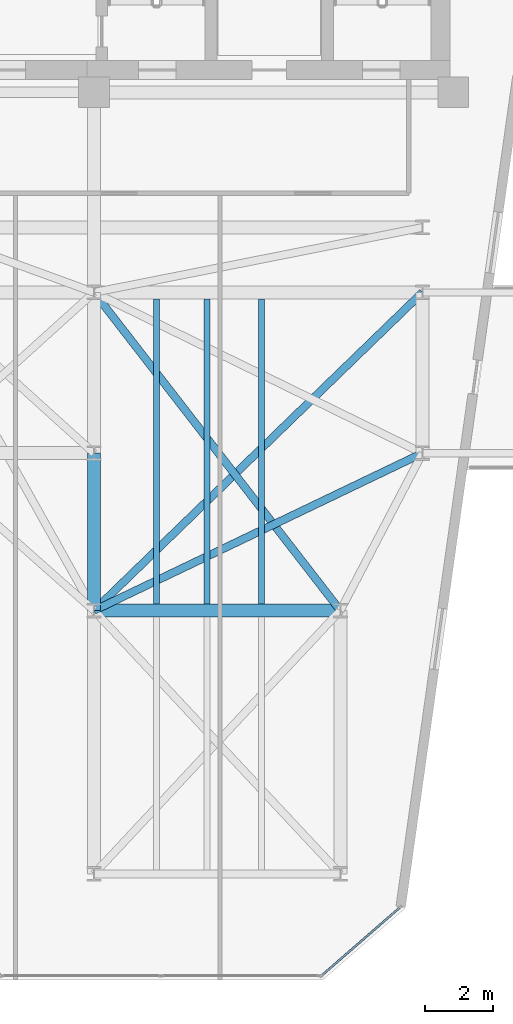
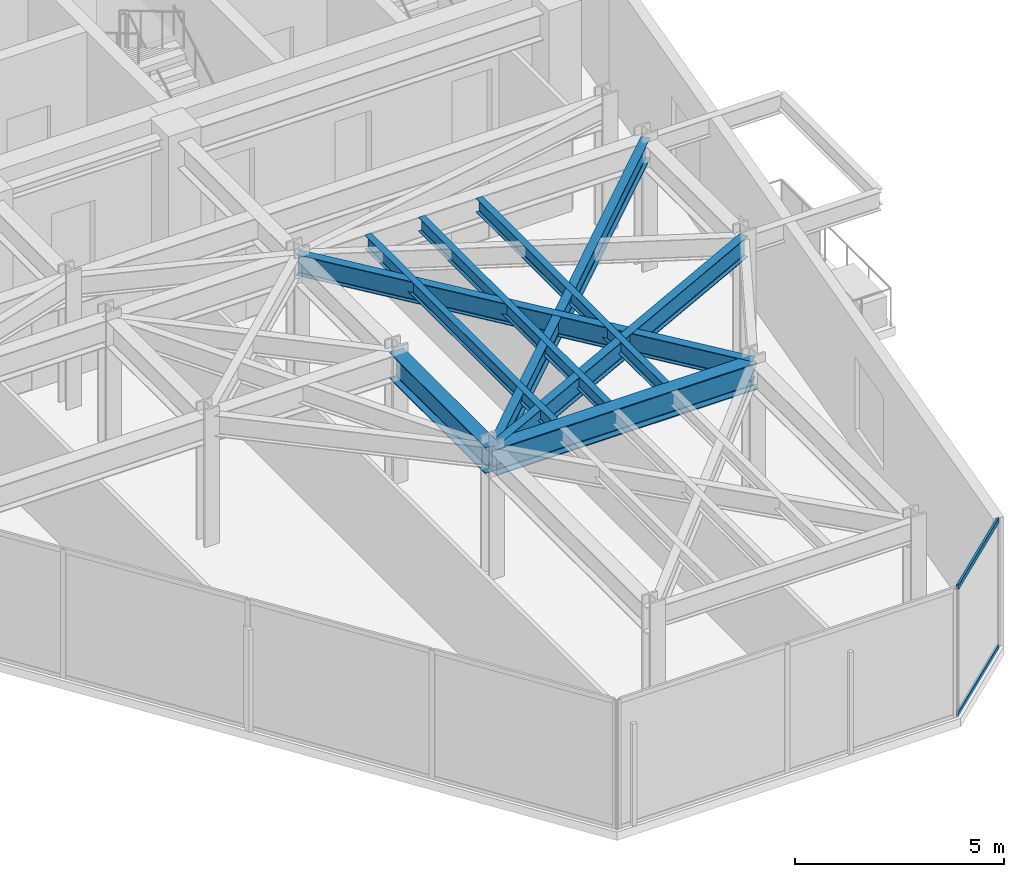
# One storey, part 13 of 21: 8 beams, 2 members, 1 element without a shape of its own.
"""IFC4 building model written with IfcOpenShell, lengths in metres."""

from ifc_helpers import new_model, si_unit, direction, frame, origin, origin_2d, place, context, subcontext, project, spatial, hollow_rectangle, i_section, extrude, material, layer, layer_set, material_profile, profile_set, type_object, element, aggregate, save


model = new_model("IFC4")

# Units and contexts
model_context = context("Model", 3, precision=1e-05, world=origin(), true_north=direction((0.0, 1.0)))
body_context = subcontext(model_context, "Body", "Model", "MODEL_VIEW")
ifc_project = project(units=[si_unit("LENGTHUNIT", "METRE"), si_unit("AREAUNIT", "SQUARE_METRE"), si_unit("VOLUMEUNIT", "CUBIC_METRE"), si_unit("PLANEANGLEUNIT", "RADIAN"), si_unit("MASSUNIT", "GRAM", prefix="KILO")], contexts=[model_context])

# Site, building, storey
site_placement = place(None, origin())
site = spatial("IfcSite", under=ifc_project, at=site_placement, CompositionType="ELEMENT")
building_placement = place(site_placement, origin())
building = spatial("IfcBuilding", under=site, at=building_placement, Name="Kravanh Interchange Tower", CompositionType="ELEMENT")
storey_placement = place(building_placement, frame((0.0, 0.0, 176.5)))
storey = spatial("IfcBuildingStorey", under=building, at=storey_placement, Name="L42", CompositionType="ELEMENT", Elevation=176.5)

# Curtain wall, members
ifc_material_1 = material(Name="Anodised Bronze Aluminium", Category="aluminium")
ifc_layer = layer(ifc_material_1, 0.179931640625)
ifc_layer_set = layer_set([ifc_layer], Name="Unitised Curtain Wall System CW-Z3 Upper Office")
curtain_wall_type = type_object("IfcCurtainWallType", Name="Unitised Curtain Wall System CW-Z3 Upper Office", PredefinedType="NOTDEFINED", material=ifc_layer_set)
curtain_wall_placement = place(storey_placement, origin())
curtain_wall = element("IfcCurtainWall", 1, at=curtain_wall_placement, inside=storey, type_object=curtain_wall_type, Name="L42 Unitised Curtain Wall CW-L42-01", PredefinedType="NOTDEFINED")
ifc_material_2 = material(Name="Anodised Bronze Aluminium", Category="aluminium")
ifc_material_profile_1 = material_profile(ifc_material_2, hollow_rectangle(XDim=0.06005859375, YDim=0.139892578125, WallThickness=0.00390625, at=origin_2d()), Name="ALU60X140X4")
ifc_profile_set_1 = profile_set([ifc_material_profile_1], Name="Anodised Bronze Aluminium")
member_type = type_object("IfcMemberType", Name="Curtain Wall Transom ALU60X140X4 Bronze", PredefinedType="USERDEFINED", material=ifc_profile_set_1)
member_1_placement = place(storey_placement, frame((64.92041015625, 13.501220703125, 0.030029296875), z_axis=(-0.754744002238, -0.656019428893, 0.0), x_axis=(0.656019428893, -0.754744002238, 0.0)))
member_1 = element("IfcMember", 2, at=member_1_placement, type_object=member_type, Name="CW-Z3 transom 1.1", ObjectType="TRANSOM", PredefinedType="USERDEFINED", context=body_context, shape_type="SweptSolid", body=[
    extrude(hollow_rectangle(XDim=0.06005859375, YDim=0.139892578125, WallThickness=0.00390625, at=origin_2d()), origin(), (0.0, 0.0, 1.0), 2.960205078125),
])
member_2_placement = place(storey_placement, frame((64.92041015625, 13.501220703125, 3.72509765625), z_axis=(-0.754744002238, -0.656019428893, 0.0), x_axis=(0.656019428893, -0.754744002238, 0.0)))
member_2 = element("IfcMember", 3, at=member_2_placement, type_object=member_type, Name="CW-Z3 transom 1.2", ObjectType="TRANSOM", PredefinedType="USERDEFINED", context=body_context, shape_type="SweptSolid", body=[
    extrude(hollow_rectangle(XDim=0.06005859375, YDim=0.139892578125, WallThickness=0.00390625, at=origin_2d()), origin(), (0.0, 0.0, 1.0), 2.960205078125),
])
aggregate(curtain_wall, [member_1, member_2])

# Beams
ifc_material_3 = material(Name="Structural Steel S355", Category="steel")
ifc_material_profile_2 = material_profile(ifc_material_3, i_section(OverallWidth=0.381103515625, OverallDepth=0.77294921875, WebThickness=0.0166015625, FlangeThickness=0.027099609375, FilletRadius=0.02490234375, at=origin_2d()), Name="W30X173")
ifc_profile_set_2 = profile_set([ifc_material_profile_2], Name="Structural Steel S355")
beam_type_1 = type_object("IfcBeamType", Name="Floor Beam W30X173 Structural Steel S355", PredefinedType="BEAM", material=ifc_profile_set_2)
beam_1_placement = place(storey_placement, frame((56.0, 26.800048828125, 3.368408203125), z_axis=(0.0, -1.0, 0.0), x_axis=(1.0, 0.0, 0.0)))
element("IfcBeam", 4, at=beam_1_placement, inside=storey, type_object=beam_type_1, Name="L42 Primary Floor Girder 53", PredefinedType="BEAM", context=body_context, shape_type="SweptSolid", body=[
    extrude(i_section(OverallWidth=0.381103515625, OverallDepth=0.77294921875, WebThickness=0.0166015625, FlangeThickness=0.027099609375, FilletRadius=0.02490234375, at=origin_2d()), origin(), (0.0, 0.0, 1.0), 4.60009765625),
])
beam_2_placement = place(storey_placement, frame((56.0, 22.199951171875, 3.368408203125), z_axis=(1.0, 0.0, 0.0), x_axis=(0.0, 1.0, 0.0)))
element("IfcBeam", 5, at=beam_2_placement, inside=storey, type_object=beam_type_1, Name="L42 Primary Floor Girder 92", PredefinedType="BEAM", context=body_context, shape_type="SweptSolid", body=[
    extrude(i_section(OverallWidth=0.381103515625, OverallDepth=0.77294921875, WebThickness=0.0166015625, FlangeThickness=0.027099609375, FilletRadius=0.02490234375, at=origin_2d()), origin(), (0.0, 0.0, 1.0), 7.199951171875),
])
ifc_material_4 = material(Name="Structural Steel S355", Category="steel")
ifc_material_profile_3 = material_profile(ifc_material_4, i_section(OverallWidth=0.177978515625, OverallDepth=0.406005859375, WebThickness=0.0078125, FlangeThickness=0.0126953125, FilletRadius=0.01611328125, at=origin_2d()), Name="W16X40")
ifc_profile_set_3 = profile_set([ifc_material_profile_3], Name="Structural Steel S355")
beam_type_2 = type_object("IfcBeamType", Name="Floor Joist W16X40 Structural Steel S355", PredefinedType="JOIST", material=ifc_profile_set_3)
for number, where, z_axis, x_axis, name in (
    (6, (57.830078125, 22.385498046875, 3.552001953125), (0.0, 1.0, 0.0), (-1.0, 0.0, 0.0), "L42 Secondary Floor Joist 10"),
    (7, (59.304931640625, 22.385498046875, 3.552001953125), (0.0, 1.0, 0.0), (-1.0, 0.0, 0.0), "L42 Secondary Floor Joist 11"),
    (8, (60.89794921875, 22.385498046875, 3.552001953125), (0.0, 1.0, 0.0), (-1.0, 0.0, 0.0), "L42 Secondary Floor Joist 12"),
):
    element("IfcBeam", number, at=place(storey_placement, frame(where, z_axis=z_axis, x_axis=x_axis)), inside=storey, type_object=beam_type_2, Name=name, PredefinedType="JOIST", context=body_context, shape_type="SweptSolid", body=[
        extrude(i_section(OverallWidth=0.177978515625, OverallDepth=0.406005859375, WebThickness=0.0078125, FlangeThickness=0.0126953125, FilletRadius=0.01611328125, at=origin_2d()), origin(), (0.0, 0.0, 1.0), 8.928955078125),
    ])
ifc_material_5 = material(Name="Structural Steel S355", Category="steel")
ifc_material_profile_4 = material_profile(ifc_material_5, i_section(OverallWidth=0.22802734375, OverallDepth=0.60791015625, WebThickness=0.01123046875, FlangeThickness=0.017333984375, FilletRadius=0.02197265625, at=origin_2d()), Name="W24X76")
ifc_profile_set_4 = profile_set([ifc_material_profile_4], Name="Structural Steel S355")
beam_type_3 = type_object("IfcBeamType", Name="Floor Spandrel W24X76 Structural Steel S355", PredefinedType="SPANDREL", material=ifc_profile_set_4)
beam_3_placement = place(storey_placement, frame((65.60009765625, 26.800048828125, 3.450927734375), z_axis=(-0.901814166789, -0.432124066188, 0.0), x_axis=(0.432124066188, -0.901814166789, 0.0)))
element("IfcBeam", 9, at=beam_3_placement, inside=storey, type_object=beam_type_3, Name="L42 Perimeter Spandrel 59", PredefinedType="SPANDREL", context=body_context, shape_type="SweptSolid", body=[
    extrude(i_section(OverallWidth=0.22802734375, OverallDepth=0.60791015625, WebThickness=0.01123046875, FlangeThickness=0.017333984375, FilletRadius=0.02197265625, at=origin_2d()), origin(), (0.0, 0.0, 1.0), 10.645263671875),
])
beam_4_placement = place(storey_placement, frame((56.0, 31.5, 3.450927734375), z_axis=(0.612168587637, -0.790727273028, 0.0), x_axis=(0.790727273028, 0.612168587637, 0.0)))
element("IfcBeam", 10, at=beam_4_placement, inside=storey, type_object=beam_type_3, Name="L42 Perimeter Spandrel 83", PredefinedType="SPANDREL", context=body_context, shape_type="SweptSolid", body=[
    extrude(i_section(OverallWidth=0.22802734375, OverallDepth=0.60791015625, WebThickness=0.01123046875, FlangeThickness=0.017333984375, FilletRadius=0.02197265625, at=origin_2d()), origin(), (0.0, 0.0, 1.0), 11.761474609375),
])
beam_5_placement = place(storey_placement, frame((65.60009765625, 31.5, 3.450927734375), z_axis=(-0.718241934329, -0.695793449072, 0.0), x_axis=(0.695793449072, -0.718241934329, 0.0)))
element("IfcBeam", 11, at=beam_5_placement, inside=storey, type_object=beam_type_3, Name="L42 Perimeter Spandrel 85", PredefinedType="SPANDREL", context=body_context, shape_type="SweptSolid", body=[
    extrude(i_section(OverallWidth=0.22802734375, OverallDepth=0.60791015625, WebThickness=0.01123046875, FlangeThickness=0.017333984375, FilletRadius=0.02197265625, at=origin_2d()), origin(), (0.0, 0.0, 1.0), 13.3662109375),
])

save(model, "model.ifc")
